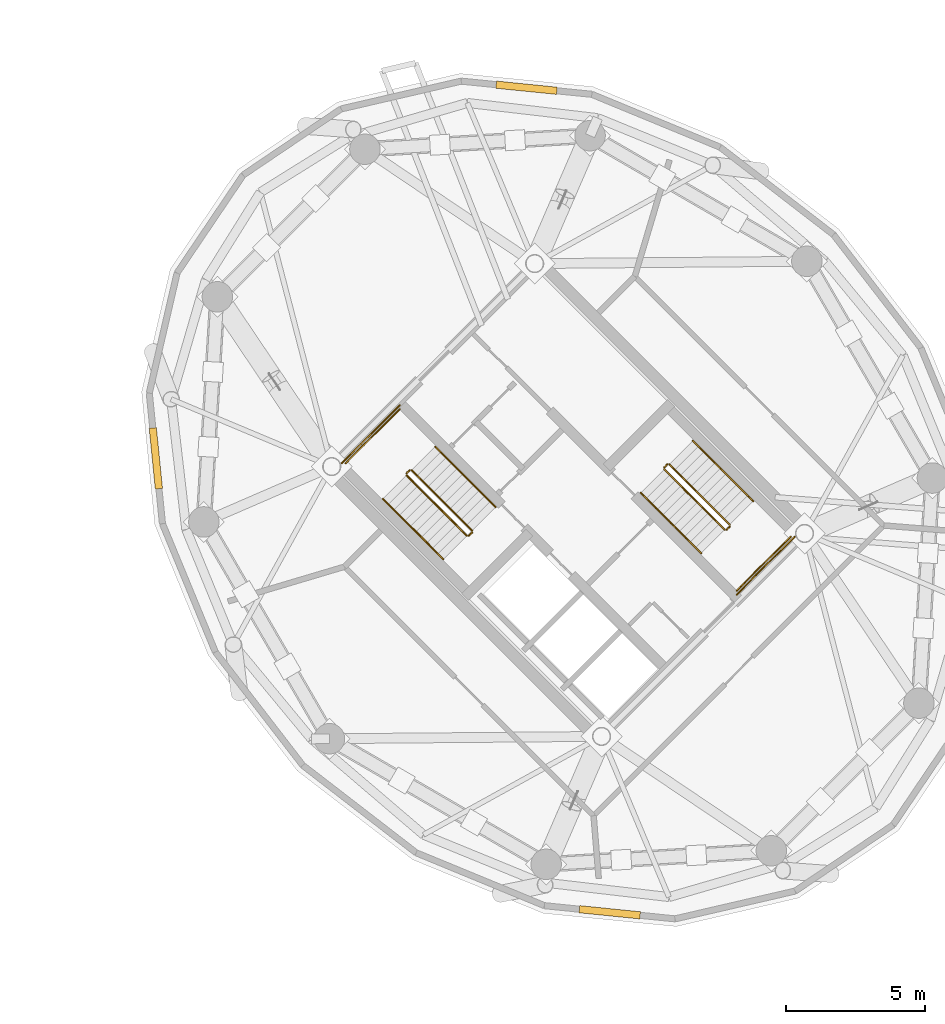
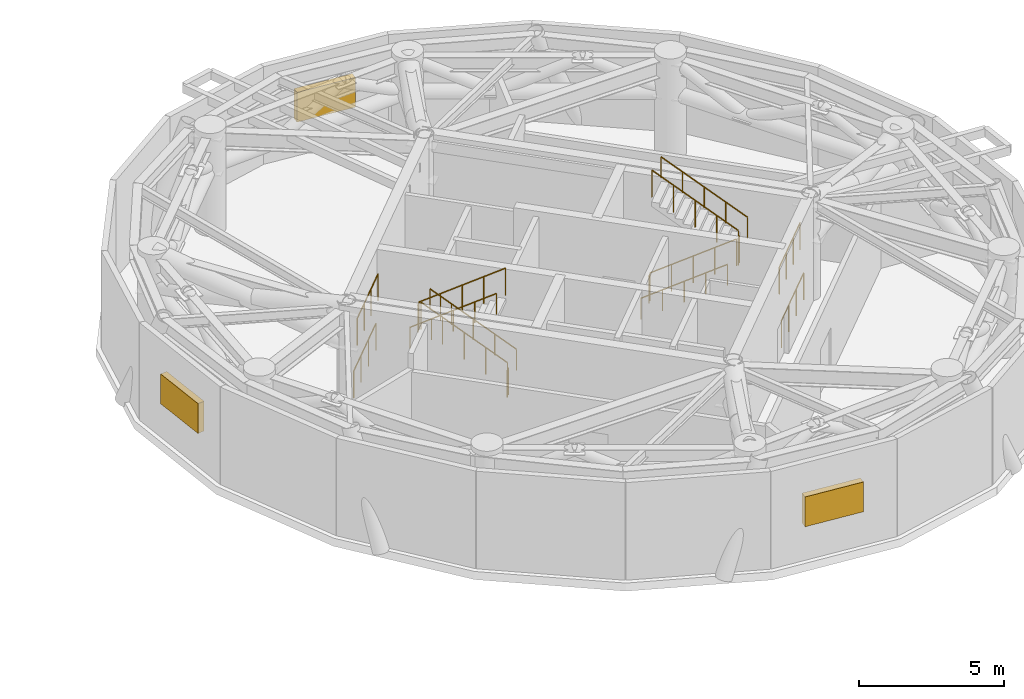
# One storey, part 13 of 14: 16 railings, 3 coverings.
"""IFC4 building model written with IfcOpenShell, lengths in metres."""

from ifc_helpers import new_model, si_unit, direction, frame, origin, origin_2d, place, context, subcontext, project, spatial, rectangle, circle, extrude, source, transform, mapped, material, type_object, element, save


model = new_model("IFC4")

# Units and contexts
model_context = context("Model", 3, precision=1e-05, world=origin(), true_north=direction((0.0, 1.0)))
body_context = subcontext(model_context, "Body", "Model", "MODEL_VIEW")
ifc_project = project(units=[si_unit("LENGTHUNIT", "METRE"), si_unit("AREAUNIT", "SQUARE_METRE"), si_unit("VOLUMEUNIT", "CUBIC_METRE"), si_unit("PLANEANGLEUNIT", "RADIAN"), si_unit("MASSUNIT", "GRAM", prefix="KILO")], contexts=[model_context])

# Site, building, storey
site_placement = place(None, origin())
site = spatial("IfcSite", under=ifc_project, at=site_placement, CompositionType="ELEMENT")
building_placement = place(site_placement, origin())
building = spatial("IfcBuilding", under=site, at=building_placement, Name="Cununo Teusaquillo Station Towers", CompositionType="ELEMENT")
storey_placement = place(building_placement, frame((0.0, 0.0, 192.340087890625)))
storey = spatial("IfcBuildingStorey", under=building, at=storey_placement, Name="L61", CompositionType="ELEMENT", Elevation=192.340087890625)

# Railings
ifc_material_1 = material(Name="Steel EN 10025-2 S355J2", Category="steel")
railing_type_1 = type_object("IfcRailingType", Name="RL-INT-GUARD", PredefinedType="GUARDRAIL", material=ifc_material_1)
railing_1_placement = place(storey_placement, frame((54.03515625, 23.39697265625, 0.179931640625)))
element("IfcRailing", 1, at=railing_1_placement, inside=storey, type_object=railing_type_1, Name="L61 ST-T2-1 stair guard 1", PredefinedType="GUARDRAIL", context=body_context, shape_type="SweptSolid", body=[
    extrude(circle(Radius=0.02392578125, at=origin_2d()), frame((0.0, 0.0, 1.1259765625), z_axis=(-0.594792379408, 0.594792379408, 0.540780963789), x_axis=(-0.707106781187, -0.707106781187, 0.0)), (0.0, 0.0, 1.0), 3.661376953125),
    extrude(circle(Radius=0.02099609375, at=origin_2d()), origin(), (0.0, 0.0, 1.0), 1.101806640625),
    extrude(circle(Radius=0.02099609375, at=origin_2d()), frame((-0.54443359375, 0.54443359375, 0.4951171875)), (0.0, 0.0, 1.0), 1.101806640625),
    extrude(circle(Radius=0.02099609375, at=origin_2d()), frame((-1.0888671875, 1.0888671875, 0.989990234375)), (0.0, 0.0, 1.0), 1.101806640625),
    extrude(circle(Radius=0.02099609375, at=origin_2d()), frame((-1.63330078125, 1.63330078125, 1.48486328125)), (0.0, 0.0, 1.0), 1.101806640625),
    extrude(circle(Radius=0.02099609375, at=origin_2d()), frame((-2.177734375, 2.177734375, 1.97998046875)), (0.0, 0.0, 1.0), 1.101806640625),
])
railing_2_placement = place(storey_placement, frame((51.78662109375, 25.57470703125, 2.159912109375)))
element("IfcRailing", 2, at=railing_2_placement, inside=storey, type_object=railing_type_1, Name="L61 ST-T2-1 stair guard 2", PredefinedType="GUARDRAIL", context=body_context, shape_type="SweptSolid", body=[
    extrude(circle(Radius=0.02392578125, at=origin_2d()), frame((0.0, 0.0, 1.1259765625), z_axis=(-0.707106781187, -0.707106781187, 0.0), x_axis=(0.707106781187, -0.707106781187, 0.0)), (0.0, 0.0, 1.0), 0.159912109375),
    extrude(circle(Radius=0.02099609375, at=origin_2d()), origin(), (0.0, 0.0, 1.0), 1.101806640625),
    extrude(circle(Radius=0.02099609375, at=origin_2d()), frame((-0.113037109375, -0.113037109375, 0.0)), (0.0, 0.0, 1.0), 1.101806640625),
])
railing_3_placement = place(storey_placement, frame((51.426025390625, 27.77392578125, 2.159912109375)))
element("IfcRailing", 3, at=railing_3_placement, inside=storey, type_object=railing_type_1, Name="L61 ST-T2-1 stair guard 3", PredefinedType="GUARDRAIL", context=body_context, shape_type="SweptSolid", body=[
    extrude(circle(Radius=0.02392578125, at=origin_2d()), frame((0.0, 0.0, 1.1259765625), z_axis=(-0.707106781187, -0.707106781187, 0.0), x_axis=(0.707106781187, -0.707106781187, 0.0)), (0.0, 0.0, 1.0), 2.760009765625),
    extrude(circle(Radius=0.02099609375, at=origin_2d()), origin(), (0.0, 0.0, 1.0), 1.101806640625),
    extrude(circle(Radius=0.02099609375, at=origin_2d()), frame((-0.650634765625, -0.650634765625, 0.0)), (0.0, 0.0, 1.0), 1.101806640625),
    extrude(circle(Radius=0.02099609375, at=origin_2d()), frame((-1.301025390625, -1.301025390625, 0.0)), (0.0, 0.0, 1.0), 1.101806640625),
    extrude(circle(Radius=0.02099609375, at=origin_2d()), frame((-1.95166015625, -1.95166015625, 0.0)), (0.0, 0.0, 1.0), 1.101806640625),
])
railing_4_placement = place(storey_placement, frame((51.673583984375, 25.390869140625, 2.33984375)))
element("IfcRailing", 4, at=railing_4_placement, inside=storey, type_object=railing_type_1, Name="L61 ST-T2-1 stair guard 4", PredefinedType="GUARDRAIL", context=body_context, shape_type="SweptSolid", body=[
    extrude(circle(Radius=0.02392578125, at=origin_2d()), frame((0.0, 0.0, 1.1259765625), z_axis=(0.594792379408, -0.594792379408, 0.540780963789), x_axis=(0.707106781187, 0.707106781187, 0.0)), (0.0, 0.0, 1.0), 3.661376953125),
    extrude(circle(Radius=0.02099609375, at=origin_2d()), origin(), (0.0, 0.0, 1.0), 1.101806640625),
    extrude(circle(Radius=0.02099609375, at=origin_2d()), frame((0.54443359375, -0.54443359375, 0.4951171875)), (0.0, 0.0, 1.0), 1.101806640625),
    extrude(circle(Radius=0.02099609375, at=origin_2d()), frame((1.0888671875, -1.0888671875, 0.989990234375)), (0.0, 0.0, 1.0), 1.101806640625),
    extrude(circle(Radius=0.02099609375, at=origin_2d()), frame((1.63330078125, -1.63330078125, 1.48486328125)), (0.0, 0.0, 1.0), 1.101806640625),
    extrude(circle(Radius=0.02099609375, at=origin_2d()), frame((2.177734375, -2.177734375, 1.97998046875)), (0.0, 0.0, 1.0), 1.101806640625),
])
railing_5_placement = place(storey_placement, frame((54.03515625, 23.326171875, 0.0)))
element("IfcRailing", 5, at=railing_5_placement, inside=storey, type_object=railing_type_1, Name="L61 ST-T2-1 stair guard 5", PredefinedType="GUARDRAIL", context=body_context, shape_type="SweptSolid", body=[
    extrude(circle(Radius=0.02392578125, at=origin_2d()), frame((0.0, 0.0, 1.1259765625), z_axis=(-0.707106781187, -0.707106781187, 0.0), x_axis=(0.707106781187, -0.707106781187, 0.0)), (0.0, 0.0, 1.0), 0.159912109375),
    extrude(circle(Radius=0.02099609375, at=origin_2d()), origin(), (0.0, 0.0, 1.0), 1.101806640625),
    extrude(circle(Radius=0.02099609375, at=origin_2d()), frame((-0.113037109375, -0.113037109375, 0.0)), (0.0, 0.0, 1.0), 1.101806640625),
])
railing_6_placement = place(storey_placement, frame((51.426025390625, 27.915283203125, 0.0)))
element("IfcRailing", 6, at=railing_6_placement, inside=storey, type_object=railing_type_1, Name="L61 ST-T2-1 stair guard 6", PredefinedType="GUARDRAIL", context=body_context, shape_type="SweptSolid", body=[
    extrude(circle(Radius=0.02392578125, at=origin_2d()), frame((0.0, 0.0, 1.1259765625), z_axis=(-0.707106781187, -0.707106781187, 0.0), x_axis=(0.707106781187, -0.707106781187, 0.0)), (0.0, 0.0, 1.0), 2.9599609375),
    extrude(circle(Radius=0.02099609375, at=origin_2d()), origin(), (0.0, 0.0, 1.0), 1.101806640625),
    extrude(circle(Radius=0.02099609375, at=origin_2d()), frame((-0.69775390625, -0.69775390625, 0.0)), (0.0, 0.0, 1.0), 1.101806640625),
    extrude(circle(Radius=0.02099609375, at=origin_2d()), frame((-1.395263671875, -1.395263671875, 0.0)), (0.0, 0.0, 1.0), 1.101806640625),
    extrude(circle(Radius=0.02099609375, at=origin_2d()), frame((-2.093017578125, -2.093017578125, 0.0)), (0.0, 0.0, 1.0), 1.101806640625),
])
railing_7_placement = place(storey_placement, frame((60.96484375, 25.60302734375, 0.179931640625)))
element("IfcRailing", 7, at=railing_7_placement, inside=storey, type_object=railing_type_1, Name="L61 ST-T2-2 stair guard 1", PredefinedType="GUARDRAIL", context=body_context, shape_type="SweptSolid", body=[
    extrude(circle(Radius=0.02392578125, at=origin_2d()), frame((0.0, 0.0, 1.1259765625), z_axis=(0.594792379408, -0.594792379408, 0.540780963789), x_axis=(0.707106781187, 0.707106781187, 0.0)), (0.0, 0.0, 1.0), 3.661376953125),
    extrude(circle(Radius=0.02099609375, at=origin_2d()), origin(), (0.0, 0.0, 1.0), 1.101806640625),
    extrude(circle(Radius=0.02099609375, at=origin_2d()), frame((0.54443359375, -0.54443359375, 0.4951171875)), (0.0, 0.0, 1.0), 1.101806640625),
    extrude(circle(Radius=0.02099609375, at=origin_2d()), frame((1.0888671875, -1.0888671875, 0.989990234375)), (0.0, 0.0, 1.0), 1.101806640625),
    extrude(circle(Radius=0.02099609375, at=origin_2d()), frame((1.63330078125, -1.63330078125, 1.48486328125)), (0.0, 0.0, 1.0), 1.101806640625),
    extrude(circle(Radius=0.02099609375, at=origin_2d()), frame((2.177734375, -2.177734375, 1.97998046875)), (0.0, 0.0, 1.0), 1.101806640625),
])
railing_8_placement = place(storey_placement, frame((63.21337890625, 23.42529296875, 2.159912109375)))
element("IfcRailing", 8, at=railing_8_placement, inside=storey, type_object=railing_type_1, Name="L61 ST-T2-2 stair guard 2", PredefinedType="GUARDRAIL", context=body_context, shape_type="SweptSolid", body=[
    extrude(circle(Radius=0.02392578125, at=origin_2d()), frame((0.0, 0.0, 1.1259765625), z_axis=(0.707106781187, 0.707106781187, 0.0), x_axis=(-0.707106781187, 0.707106781187, 0.0)), (0.0, 0.0, 1.0), 0.159912109375),
    extrude(circle(Radius=0.02099609375, at=origin_2d()), origin(), (0.0, 0.0, 1.0), 1.101806640625),
    extrude(circle(Radius=0.02099609375, at=origin_2d()), frame((0.113037109375, 0.113037109375, 0.0)), (0.0, 0.0, 1.0), 1.101806640625),
])
railing_9_placement = place(storey_placement, frame((63.573974609375, 21.22607421875, 2.159912109375)))
element("IfcRailing", 9, at=railing_9_placement, inside=storey, type_object=railing_type_1, Name="L61 ST-T2-2 stair guard 3", PredefinedType="GUARDRAIL", context=body_context, shape_type="SweptSolid", body=[
    extrude(circle(Radius=0.02392578125, at=origin_2d()), frame((0.0, 0.0, 1.1259765625), z_axis=(0.707106781187, 0.707106781187, 0.0), x_axis=(-0.707106781187, 0.707106781187, 0.0)), (0.0, 0.0, 1.0), 2.760009765625),
    extrude(circle(Radius=0.02099609375, at=origin_2d()), origin(), (0.0, 0.0, 1.0), 1.101806640625),
    extrude(circle(Radius=0.02099609375, at=origin_2d()), frame((0.650634765625, 0.650634765625, 0.0)), (0.0, 0.0, 1.0), 1.101806640625),
    extrude(circle(Radius=0.02099609375, at=origin_2d()), frame((1.301025390625, 1.301025390625, 0.0)), (0.0, 0.0, 1.0), 1.101806640625),
    extrude(circle(Radius=0.02099609375, at=origin_2d()), frame((1.95166015625, 1.95166015625, 0.0)), (0.0, 0.0, 1.0), 1.101806640625),
])
railing_10_placement = place(storey_placement, frame((63.326416015625, 23.609130859375, 2.33984375)))
element("IfcRailing", 10, at=railing_10_placement, inside=storey, type_object=railing_type_1, Name="L61 ST-T2-2 stair guard 4", PredefinedType="GUARDRAIL", context=body_context, shape_type="SweptSolid", body=[
    extrude(circle(Radius=0.02392578125, at=origin_2d()), frame((0.0, 0.0, 1.1259765625), z_axis=(-0.594792379408, 0.594792379408, 0.540780963789), x_axis=(-0.707106781187, -0.707106781187, 0.0)), (0.0, 0.0, 1.0), 3.661376953125),
    extrude(circle(Radius=0.02099609375, at=origin_2d()), origin(), (0.0, 0.0, 1.0), 1.101806640625),
    extrude(circle(Radius=0.02099609375, at=origin_2d()), frame((-0.54443359375, 0.54443359375, 0.4951171875)), (0.0, 0.0, 1.0), 1.101806640625),
    extrude(circle(Radius=0.02099609375, at=origin_2d()), frame((-1.0888671875, 1.0888671875, 0.989990234375)), (0.0, 0.0, 1.0), 1.101806640625),
    extrude(circle(Radius=0.02099609375, at=origin_2d()), frame((-1.63330078125, 1.63330078125, 1.48486328125)), (0.0, 0.0, 1.0), 1.101806640625),
    extrude(circle(Radius=0.02099609375, at=origin_2d()), frame((-2.177734375, 2.177734375, 1.97998046875)), (0.0, 0.0, 1.0), 1.101806640625),
])
railing_11_placement = place(storey_placement, frame((60.96484375, 25.673828125, 0.0)))
element("IfcRailing", 11, at=railing_11_placement, inside=storey, type_object=railing_type_1, Name="L61 ST-T2-2 stair guard 5", PredefinedType="GUARDRAIL", context=body_context, shape_type="SweptSolid", body=[
    extrude(circle(Radius=0.02392578125, at=origin_2d()), frame((0.0, 0.0, 1.1259765625), z_axis=(0.707106781187, 0.707106781187, 0.0), x_axis=(-0.707106781187, 0.707106781187, 0.0)), (0.0, 0.0, 1.0), 0.159912109375),
    extrude(circle(Radius=0.02099609375, at=origin_2d()), origin(), (0.0, 0.0, 1.0), 1.101806640625),
    extrude(circle(Radius=0.02099609375, at=origin_2d()), frame((0.113037109375, 0.113037109375, 0.0)), (0.0, 0.0, 1.0), 1.101806640625),
])
railing_12_placement = place(storey_placement, frame((63.573974609375, 21.084716796875, 0.0)))
element("IfcRailing", 12, at=railing_12_placement, inside=storey, type_object=railing_type_1, Name="L61 ST-T2-2 stair guard 6", PredefinedType="GUARDRAIL", context=body_context, shape_type="SweptSolid", body=[
    extrude(circle(Radius=0.02392578125, at=origin_2d()), frame((0.0, 0.0, 1.1259765625), z_axis=(0.707106781187, 0.707106781187, 0.0), x_axis=(-0.707106781187, 0.707106781187, 0.0)), (0.0, 0.0, 1.0), 2.9599609375),
    extrude(circle(Radius=0.02099609375, at=origin_2d()), origin(), (0.0, 0.0, 1.0), 1.101806640625),
    extrude(circle(Radius=0.02099609375, at=origin_2d()), frame((0.69775390625, 0.69775390625, 0.0)), (0.0, 0.0, 1.0), 1.101806640625),
    extrude(circle(Radius=0.02099609375, at=origin_2d()), frame((1.395263671875, 1.395263671875, 0.0)), (0.0, 0.0, 1.0), 1.101806640625),
    extrude(circle(Radius=0.02099609375, at=origin_2d()), frame((2.093017578125, 2.093017578125, 0.0)), (0.0, 0.0, 1.0), 1.101806640625),
])
ifc_material_2 = material(Name="Steel EN 10025-2 S355J2", Category="steel")
railing_type_2 = type_object("IfcRailingType", Name="RL-INT-HRAIL", PredefinedType="HANDRAIL", material=ifc_material_2)
railing_13_placement = place(storey_placement, frame((54.8837890625, 24.245361328125, 0.179931640625)))
element("IfcRailing", 13, at=railing_13_placement, inside=storey, type_object=railing_type_2, Name="L61 ST-T2-1 stair handrail 1", PredefinedType="HANDRAIL", context=body_context, shape_type="SweptSolid", body=[
    extrude(circle(Radius=0.02392578125, at=origin_2d()), frame((0.0, 0.0, 0.8759765625), z_axis=(-0.594811877479, 0.594811877479, 0.540738070436), x_axis=(-0.707106781187, -0.707106781187, 0.0)), (0.0, 0.0, 1.0), 3.66162109375),
    extrude(circle(Radius=0.02099609375, at=origin_2d()), origin(), (0.0, 0.0, 1.0), 0.851806640625),
    extrude(circle(Radius=0.02099609375, at=origin_2d()), frame((-0.54443359375, 0.54443359375, 0.4951171875)), (0.0, 0.0, 1.0), 0.851806640625),
    extrude(circle(Radius=0.02099609375, at=origin_2d()), frame((-1.0888671875, 1.0888671875, 0.989990234375)), (0.0, 0.0, 1.0), 0.851806640625),
    extrude(circle(Radius=0.02099609375, at=origin_2d()), frame((-1.633544921875, 1.633544921875, 1.48486328125)), (0.0, 0.0, 1.0), 0.851806640625),
    extrude(circle(Radius=0.02099609375, at=origin_2d()), frame((-2.177978515625, 2.177978515625, 1.97998046875)), (0.0, 0.0, 1.0), 0.851806640625),
])
for number, where, name in (
    (14, (50.824951171875, 24.54248046875, 2.33984375), "L61 ST-T2-1 stair handrail 2"),
    (15, (60.1162109375, 24.754638671875, 0.179931640625), "L61 ST-T2-2 stair handrail 1"),
):
    element("IfcRailing", number, at=place(storey_placement, frame(where)), inside=storey, type_object=railing_type_2, Name=name, PredefinedType="HANDRAIL", context=body_context, shape_type="SweptSolid", body=[
        extrude(circle(Radius=0.02392578125, at=origin_2d()), frame((0.0, 0.0, 0.8759765625), z_axis=(0.594811877479, -0.594811877479, 0.540738070436), x_axis=(0.707106781187, 0.707106781187, 0.0)), (0.0, 0.0, 1.0), 3.66162109375),
        extrude(circle(Radius=0.02099609375, at=origin_2d()), origin(), (0.0, 0.0, 1.0), 0.851806640625),
        extrude(circle(Radius=0.02099609375, at=origin_2d()), frame((0.54443359375, -0.54443359375, 0.4951171875)), (0.0, 0.0, 1.0), 0.851806640625),
        extrude(circle(Radius=0.02099609375, at=origin_2d()), frame((1.0888671875, -1.0888671875, 0.989990234375)), (0.0, 0.0, 1.0), 0.851806640625),
        extrude(circle(Radius=0.02099609375, at=origin_2d()), frame((1.633544921875, -1.633544921875, 1.48486328125)), (0.0, 0.0, 1.0), 0.851806640625),
        extrude(circle(Radius=0.02099609375, at=origin_2d()), frame((2.177978515625, -2.177978515625, 1.97998046875)), (0.0, 0.0, 1.0), 0.851806640625),
    ])
railing_14_placement = place(storey_placement, frame((64.175048828125, 24.45751953125, 2.33984375)))
element("IfcRailing", 16, at=railing_14_placement, inside=storey, type_object=railing_type_2, Name="L61 ST-T2-2 stair handrail 2", PredefinedType="HANDRAIL", context=body_context, shape_type="SweptSolid", body=[
    extrude(circle(Radius=0.02392578125, at=origin_2d()), frame((0.0, 0.0, 0.8759765625), z_axis=(-0.594811877479, 0.594811877479, 0.540738070436), x_axis=(-0.707106781187, -0.707106781187, 0.0)), (0.0, 0.0, 1.0), 3.66162109375),
    extrude(circle(Radius=0.02099609375, at=origin_2d()), origin(), (0.0, 0.0, 1.0), 0.851806640625),
    extrude(circle(Radius=0.02099609375, at=origin_2d()), frame((-0.54443359375, 0.54443359375, 0.4951171875)), (0.0, 0.0, 1.0), 0.851806640625),
    extrude(circle(Radius=0.02099609375, at=origin_2d()), frame((-1.0888671875, 1.0888671875, 0.989990234375)), (0.0, 0.0, 1.0), 0.851806640625),
    extrude(circle(Radius=0.02099609375, at=origin_2d()), frame((-1.633544921875, 1.633544921875, 1.48486328125)), (0.0, 0.0, 1.0), 0.851806640625),
    extrude(circle(Radius=0.02099609375, at=origin_2d()), frame((-2.177978515625, 2.177978515625, 1.97998046875)), (0.0, 0.0, 1.0), 0.851806640625),
])

# Coverings
ifc_material_3 = material(Name="Anodised dark bronze aluminium EN AW-6063-T6", Category="aluminium")
covering_type = type_object("IfcCoveringType", Name="COV-LOUVRE-ACOUSTIC", PredefinedType="USERDEFINED", material=ifc_material_3)
shared_shape = source(origin(), body_context, "Body", "SweptSolid", [
    extrude(rectangle(XDim=2.199951171875, YDim=0.260009765625, at=origin_2d()), origin(), (0.0, 0.0, 1.0), 1.25),
])
for number, where, z_axis, x_axis, name in (
    (17, (55.999267578125, 39.365234375, 1.42236328125), (0.0, 0.0, 1.0), (0.994933485404, -0.100535365033, 0.0), "L61 Tower B Acoustic Plant Louvre C02"),
    (18, (42.634765625, 26.000732421875, 1.42236328125), (0.0, 0.0, 1.0), (-0.100535365033, 0.994933485404, 0.0), "L61 Tower B Acoustic Plant Louvre C07"),
    (19, (59.000732421875, 9.634765625, 1.42236328125), (0.0, 0.0, 1.0), (-0.994933485404, 0.100535365033, 0.0), "L61 Tower B Acoustic Plant Louvre C12"),
):
    element("IfcCovering", number, at=place(storey_placement, frame(where, z_axis=z_axis, x_axis=x_axis)), inside=storey, type_object=covering_type, Name=name, ObjectType="LOUVRE", PredefinedType="USERDEFINED", context=body_context, shape_type="MappedRepresentation", body=[
        mapped(shared_shape, transform((0.0, 0.0, 0.0), x_axis=(1.0, 0.0, 0.0), y_axis=(0.0, 1.0, 0.0), z_axis=(0.0, 0.0, 1.0), scale=1.0)),
    ])

save(model, "model.ifc")
